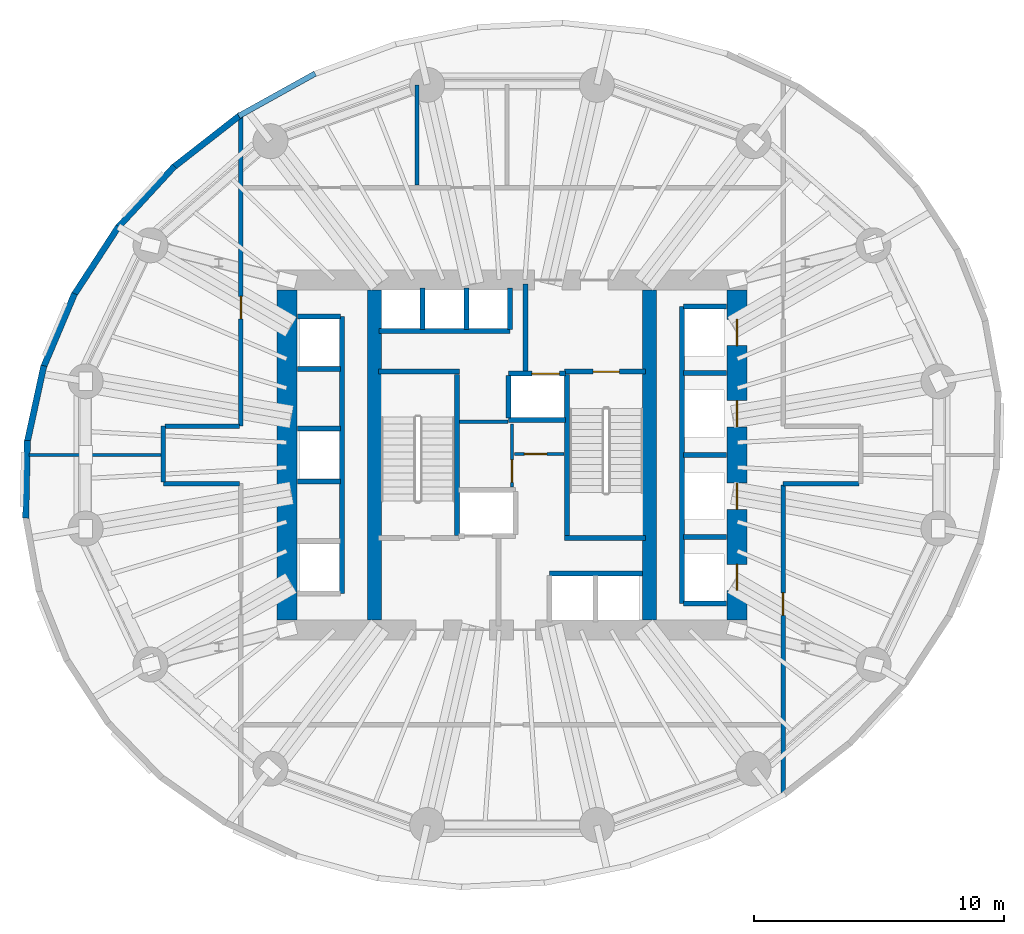
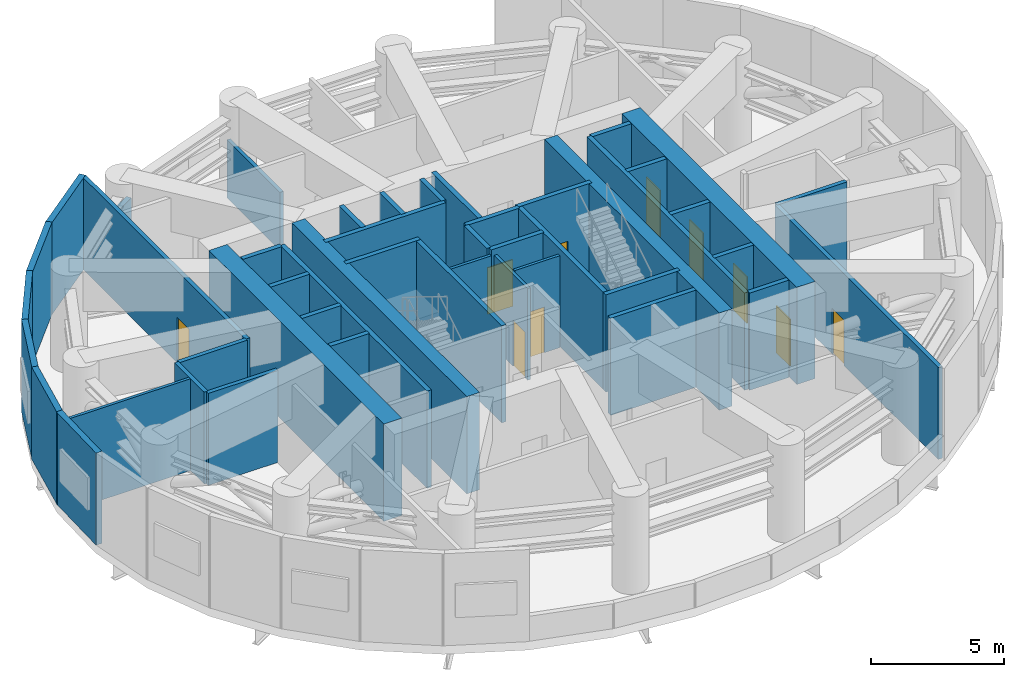
# One storey, part 5 of 8: 47 walls, 10 doors, 10 openings.
"""IFC4 building model written with IfcOpenShell, lengths in metres."""

from ifc_helpers import new_model, si_unit, direction, frame, frame_2d, origin, place, context, subcontext, project, spatial, rectangle, extrude, material, layer, layer_set, type_object, element, fill, save


model = new_model("IFC4")

# Units and contexts
model_context = context("Model", 3, precision=1e-05, world=origin(), true_north=direction((0.0, 1.0)))
body_context = subcontext(model_context, "Body", "Model", "MODEL_VIEW")
ifc_project = project(units=[si_unit("LENGTHUNIT", "METRE"), si_unit("AREAUNIT", "SQUARE_METRE"), si_unit("VOLUMEUNIT", "CUBIC_METRE"), si_unit("PLANEANGLEUNIT", "RADIAN"), si_unit("MASSUNIT", "GRAM", prefix="KILO")], contexts=[model_context])

# Site, building, storey
site_placement = place(None, origin())
site = spatial("IfcSite", under=ifc_project, at=site_placement, CompositionType="ELEMENT")
building_placement = place(site_placement, origin())
building = spatial("IfcBuilding", under=site, at=building_placement, Name="Veldorim Arch Residences", CompositionType="ELEMENT")
storey_placement = place(building_placement, frame((0.0, 0.0, 66.39990234375)))
storey = spatial("IfcBuildingStorey", under=building, at=storey_placement, Name="L19", CompositionType="ELEMENT", Elevation=66.39990234375)

# Wall, opening, door
ifc_material_1 = material(Name="Acoustic Gypsum Board", Category="gypsum")
ifc_layer_1 = layer(ifc_material_1, 0.125, Name="Acoustic Stud Room Partition Wall 125")
ifc_layer_set_1 = layer_set([ifc_layer_1], Name="Acoustic Gypsum Board")
wall_type_1 = type_object("IfcWallType", Name="Acoustic Stud Room Partition Wall 125", PredefinedType="PARTITIONING", material=ifc_layer_set_1)
wall_1_placement = place(storey_placement, frame((32.0, 22.719970703125, 0.0), z_axis=(0.0, 0.0, 1.0), x_axis=(0.0, 1.0, 0.0)))
wall_1 = element("IfcWall", 1, at=wall_1_placement, inside=storey, type_object=wall_type_1, Name="L19 interior wall WL-CA-L19-1", PredefinedType="PARTITIONING", context=body_context, shape_type="SweptSolid", body=[
    extrude(rectangle(XDim=2.52001953125, YDim=0.125, at=frame_2d((1.260009765625, 0.0))), origin(), (0.0, 0.0, 1.0), 4.235107421875),
])
opening_1_placement = place(wall_1_placement, frame((0.179931640625, 0.0, 0.0)))
opening_1 = element("IfcOpeningElement", 2, at=opening_1_placement, cuts=wall_1, Name="Opening DR-SVC", PredefinedType="OPENING", context=body_context, shape_type="SweptSolid", body=[
    extrude(rectangle(XDim=0.89990234375, YDim=2.10009765625, at=frame_2d((0.449951171875, 1.050048828125))), frame((0.0, 0.072509765625, 0.0), z_axis=(0.0, -1.0, 0.0), x_axis=(1.0, 0.0, 0.0)), (0.0, 0.0, 1.0), 0.14501953125),
])
ifc_material_2 = material(Name="Fire-Rated Steel", Category="steel")
door_type_1 = type_object("IfcDoorType", Name="Riser, Shelter & Plant Room Rated Steel Door 900x2100", OperationType="SINGLE_SWING_LEFT", PredefinedType="DOOR", material=ifc_material_2)
door_1_placement = place(opening_1_placement, origin())
door_1 = element("IfcDoor", 3, at=door_1_placement, inside=storey, type_object=door_type_1, Name="L19 interior door DR-L19-CA2", OperationType="SINGLE_SWING_RIGHT", OverallHeight=2.10009765625, OverallWidth=0.89990234375, PredefinedType="DOOR", context=body_context, shape_type="SweptSolid", body=[
    extrude(rectangle(XDim=0.89990234375, YDim=2.10009765625, at=frame_2d((0.449951171875, 1.050048828125))), frame((0.0, 0.02490234375, 0.0), z_axis=(0.0, -1.0, 0.0), x_axis=(1.0, 0.0, 0.0)), (0.0, 0.0, 1.0), 0.050048828125),
])
fill(opening_1, door_1)

wall_2_placement = place(storey_placement, frame((32.110107421875, 24.0400390625, 0.0), z_axis=(0.0, 0.0, 1.0), x_axis=(1.0, 0.0, 0.0)))
wall_2 = element("IfcWall", 4, at=wall_2_placement, inside=storey, type_object=wall_type_1, Name="L19 interior wall WL-CA-L19-3", PredefinedType="PARTITIONING", context=body_context, shape_type="SweptSolid", body=[
    extrude(rectangle(XDim=1.969970703125, YDim=0.125, at=frame_2d((0.98486328125, 0.0))), origin(), (0.0, 0.0, 1.0), 4.235107421875),
])
opening_2_placement = place(wall_2_placement, frame((0.389892578125, 0.0, 0.0)))
opening_2 = element("IfcOpeningElement", 5, at=opening_2_placement, cuts=wall_2, Name="Opening DR-INT", PredefinedType="OPENING", context=body_context, shape_type="SweptSolid", body=[
    extrude(rectangle(XDim=0.89990234375, YDim=2.10009765625, at=frame_2d((0.449951171875, 1.050048828125))), frame((0.0, 0.072509765625, 0.0), z_axis=(0.0, -1.0, 0.0), x_axis=(1.0, 0.0, 0.0)), (0.0, 0.0, 1.0), 0.14501953125),
])
ifc_material_3 = material(Name="Engineered Timber", Category="wood")
door_type_2 = type_object("IfcDoorType", Name="Apartment Internal Room Timber Door 900x2100", OperationType="SINGLE_SWING_LEFT", PredefinedType="DOOR", material=ifc_material_3)
door_2_placement = place(opening_2_placement, origin())
door_2 = element("IfcDoor", 6, at=door_2_placement, inside=storey, type_object=door_type_2, Name="L19 interior door DR-L19-CA1", OperationType="SINGLE_SWING_LEFT", OverallHeight=2.10009765625, OverallWidth=0.89990234375, PredefinedType="DOOR", context=body_context, shape_type="SweptSolid", body=[
    extrude(rectangle(XDim=0.89990234375, YDim=2.10009765625, at=frame_2d((0.449951171875, 1.050048828125))), frame((0.0, 0.02490234375, 0.0), z_axis=(0.0, -1.0, 0.0), x_axis=(1.0, 0.0, 0.0)), (0.0, 0.0, 1.0), 0.050048828125),
])
fill(opening_2, door_2)

# Walls
wall_3_placement = place(storey_placement, frame((29.889892578125, 25.330078125, 0.0), z_axis=(0.0, 0.0, 1.0), x_axis=(1.0, 0.0, 0.0)))
element("IfcWall", 7, at=wall_3_placement, inside=storey, type_object=wall_type_1, Name="L19 interior wall WL-CA-L19-N", PredefinedType="PARTITIONING", context=body_context, shape_type="SweptSolid", body=[
    extrude(rectangle(XDim=1.940185546875, YDim=0.125, at=frame_2d((0.97021484375, 0.0))), origin(), (0.0, 0.0, 1.0), 4.235107421875),
])
wall_4_placement = place(storey_placement, frame((12.66259765625, 24.0, 0.0), z_axis=(0.0, 0.0, 1.0), x_axis=(1.0, 0.0, 0.0)))
element("IfcWall", 8, at=wall_4_placement, inside=storey, type_object=wall_type_1, Name="L19 interior wall WL-PLT-L19-015", PredefinedType="PARTITIONING", context=body_context, shape_type="SweptSolid", body=[
    extrude(rectangle(XDim=5.287353515625, YDim=0.125, at=frame_2d((2.6435546875, 0.0))), origin(), (0.0, 0.0, 1.0), 4.235107421875),
])
ifc_material_4 = material(Name="Lightweight Masonry Block & Gypsum", Category="masonry")
ifc_layer_2 = layer(ifc_material_4, 0.179931640625, Name="Compartment & Corridor Fire-Rated Party Wall 180")
ifc_layer_set_2 = layer_set([ifc_layer_2], Name="Lightweight Masonry Block & Gypsum")
wall_type_2 = type_object("IfcWallType", Name="Compartment & Corridor Fire-Rated Party Wall 180", PredefinedType="PARTITIONING", material=ifc_layer_set_2)
wall_5_placement = place(storey_placement, frame((21.090087890625, 22.85009765625, 0.0), z_axis=(0.0, 0.0, 1.0), x_axis=(-1.0, 0.0, 0.0)))
element("IfcWall", 9, at=wall_5_placement, inside=storey, type_object=wall_type_2, Name="L19 interior wall WL-PLT-L19-004", PredefinedType="PARTITIONING", context=body_context, shape_type="SweptSolid", body=[
    extrude(rectangle(XDim=3.0400390625, YDim=0.179931640625, at=frame_2d((1.52001953125, 0.0))), origin(), (0.0, 0.0, 1.0), 4.235107421875),
])
wall_6_placement = place(storey_placement, frame((18.050048828125, 22.909912109375, 0.0), z_axis=(0.0, 0.0, 1.0), x_axis=(0.0, 1.0, 0.0)))
element("IfcWall", 10, at=wall_6_placement, inside=storey, type_object=wall_type_2, Name="L19 interior wall WL-PLT-L19-005", PredefinedType="PARTITIONING", context=body_context, shape_type="SweptSolid", body=[
    extrude(rectangle(XDim=2.239990234375, YDim=0.179931640625, at=frame_2d((1.1201171875, 0.0))), origin(), (0.0, 0.0, 1.0), 4.235107421875),
])

# Wall, opening, door
wall_7_placement = place(storey_placement, frame((21.14990234375, 25.14990234375, 0.0), z_axis=(0.0, 0.0, 1.0), x_axis=(0.0, 1.0, 0.0)))
wall_7 = element("IfcWall", 11, at=wall_7_placement, inside=storey, type_object=wall_type_2, Name="L19 interior wall WL-PLT-L19-006", PredefinedType="PARTITIONING", context=body_context, shape_type="SweptSolid", body=[
    extrude(rectangle(XDim=12.380126953125, YDim=0.179931640625, at=frame_2d((6.18994140625, 0.0))), origin(), (0.0, 0.0, 1.0), 4.235107421875),
])
opening_3_placement = place(wall_7_placement, frame((4.294921875, 0.0, 0.0)))
opening_3 = element("IfcOpeningElement", 12, at=opening_3_placement, cuts=wall_7, Name="Opening DR-SVC", PredefinedType="OPENING", context=body_context, shape_type="SweptSolid", body=[
    extrude(rectangle(XDim=0.89990234375, YDim=2.10009765625, at=frame_2d((0.449951171875, 1.050048828125))), frame((0.0, 0.099853515625, 0.0), z_axis=(0.0, -1.0, 0.0), x_axis=(1.0, 0.0, 0.0)), (0.0, 0.0, 1.0), 0.199951171875),
])
door_3_placement = place(opening_3_placement, origin())
door_3 = element("IfcDoor", 13, at=door_3_placement, inside=storey, type_object=door_type_1, Name="L19 interior door DR-PLT-L19-006", OperationType="SINGLE_SWING_RIGHT", OverallHeight=2.10009765625, OverallWidth=0.89990234375, PredefinedType="DOOR", context=body_context, shape_type="SweptSolid", body=[
    extrude(rectangle(XDim=0.89990234375, YDim=2.10009765625, at=frame_2d((0.449951171875, 1.050048828125))), frame((0.0, 0.02490234375, 0.0), z_axis=(0.0, -1.0, 0.0), x_axis=(1.0, 0.0, 0.0)), (0.0, 0.0, 1.0), 0.050048828125),
])
fill(opening_3, door_3)

# Walls
wall_8_placement = place(storey_placement, frame((18.110107421875, 25.14990234375, 0.0), z_axis=(0.0, 0.0, 1.0), x_axis=(1.0, 0.0, 0.0)))
element("IfcWall", 14, at=wall_8_placement, inside=storey, type_object=wall_type_2, Name="L19 interior wall WL-PLT-L19-007", PredefinedType="PARTITIONING", context=body_context, shape_type="SweptSolid", body=[
    extrude(rectangle(XDim=2.97998046875, YDim=0.179931640625, at=frame_2d((1.489990234375, 0.0))), origin(), (0.0, 0.0, 1.0), 4.235107421875),
])
wall_9_placement = place(storey_placement, frame((45.889892578125, 22.85009765625, 0.0), z_axis=(0.0, 0.0, 1.0), x_axis=(-1.0, 0.0, 0.0)))
element("IfcWall", 15, at=wall_9_placement, inside=storey, type_object=wall_type_2, Name="L19 interior wall WL-PLT-L19-009", PredefinedType="PARTITIONING", context=body_context, shape_type="SweptSolid", body=[
    extrude(rectangle(XDim=3.039794921875, YDim=0.179931640625, at=frame_2d((1.52001953125, 0.0))), origin(), (0.0, 0.0, 1.0), 4.235107421875),
])

# Wall, opening, door
wall_10_placement = place(storey_placement, frame((42.85009765625, 22.7900390625, 0.0), z_axis=(0.0, 0.0, 1.0), x_axis=(0.0, -1.0, 0.0)))
wall_10 = element("IfcWall", 16, at=wall_10_placement, inside=storey, type_object=wall_type_2, Name="L19 interior wall WL-PLT-L19-010", PredefinedType="PARTITIONING", context=body_context, shape_type="SweptSolid", body=[
    extrude(rectangle(XDim=12.320068359375, YDim=0.179931640625, at=frame_2d((6.16015625, 0.0))), origin(), (0.0, 0.0, 1.0), 4.235107421875),
])
opening_4_placement = place(wall_10_placement, frame((4.31494140625, 0.0, 0.0)))
opening_4 = element("IfcOpeningElement", 17, at=opening_4_placement, cuts=wall_10, Name="Opening DR-SVC", PredefinedType="OPENING", context=body_context, shape_type="SweptSolid", body=[
    extrude(rectangle(XDim=0.89990234375, YDim=2.10009765625, at=frame_2d((0.449951171875, 1.050048828125))), frame((0.0, 0.099853515625, 0.0), z_axis=(0.0, -1.0, 0.0), x_axis=(1.0, 0.0, 0.0)), (0.0, 0.0, 1.0), 0.199951171875),
])
door_4_placement = place(opening_4_placement, origin())
door_4 = element("IfcDoor", 18, at=door_4_placement, inside=storey, type_object=door_type_1, Name="L19 interior door DR-PLT-L19-007", OperationType="SINGLE_SWING_LEFT", OverallHeight=2.10009765625, OverallWidth=0.89990234375, PredefinedType="DOOR", context=body_context, shape_type="SweptSolid", body=[
    extrude(rectangle(XDim=0.89990234375, YDim=2.10009765625, at=frame_2d((0.449951171875, 1.050048828125))), frame((0.0, 0.02490234375, 0.0), z_axis=(0.0, -1.0, 0.0), x_axis=(1.0, 0.0, 0.0)), (0.0, 0.0, 1.0), 0.050048828125),
])
fill(opening_4, door_4)

# Walls
ifc_material_5 = material(Name="Concrete C50/60", Category="concrete")
ifc_layer_3 = layer(ifc_material_5, 0.199951171875, Name="Core Stair & Lift Shaft Enclosure Wall 200")
ifc_layer_set_3 = layer_set([ifc_layer_3], Name="Concrete C50/60")
wall_type_3 = type_object("IfcWallType", Name="Core Stair & Lift Shaft Enclosure Wall 200", PredefinedType="SHEAR", material=ifc_layer_set_3)
wall_11_placement = place(storey_placement, frame((29.7900390625, 20.780029296875, 0.0), z_axis=(0.0, 0.0, 1.0), x_axis=(0.0, 1.0, 0.0)))
element("IfcWall", 19, at=wall_11_placement, inside=storey, type_object=wall_type_3, Name="L19 shaft wall WL-SHF-L19-ST1-E", PredefinedType="SHEAR", context=body_context, shape_type="SweptSolid", body=[
    extrude(rectangle(XDim=6.43994140625, YDim=0.199951171875, at=frame_2d((3.219970703125, 0.0))), origin(), (0.0, 0.0, 1.0), 4.47998046875),
])
wall_12_placement = place(storey_placement, frame((26.64990234375, 27.330078125, 0.0), z_axis=(0.0, 0.0, 1.0), x_axis=(1.0, 0.0, 0.0)))
element("IfcWall", 20, at=wall_12_placement, inside=storey, type_object=wall_type_3, Name="L19 shaft wall WL-SHF-L19-ST1-N", PredefinedType="SHEAR", context=body_context, shape_type="SweptSolid", body=[
    extrude(rectangle(XDim=3.239990234375, YDim=0.199951171875, at=frame_2d((1.6201171875, 0.0))), origin(), (0.0, 0.0, 1.0), 4.47998046875),
])
wall_13_placement = place(storey_placement, frame((34.2099609375, 20.780029296875, 0.0), z_axis=(0.0, 0.0, 1.0), x_axis=(0.0, 1.0, 0.0)))
element("IfcWall", 21, at=wall_13_placement, inside=storey, type_object=wall_type_3, Name="L19 shaft wall WL-SHF-L19-ST2-W", PredefinedType="SHEAR", context=body_context, shape_type="SweptSolid", body=[
    extrude(rectangle(XDim=6.43994140625, YDim=0.199951171875, at=frame_2d((3.219970703125, 0.0))), origin(), (0.0, 0.0, 1.0), 4.47998046875),
])
wall_14_placement = place(storey_placement, frame((34.110107421875, 20.669921875, 0.0), z_axis=(0.0, 0.0, 1.0), x_axis=(1.0, 0.0, 0.0)))
element("IfcWall", 22, at=wall_14_placement, inside=storey, type_object=wall_type_3, Name="L19 shaft wall WL-SHF-L19-ST2-S", PredefinedType="SHEAR", context=body_context, shape_type="SweptSolid", body=[
    extrude(rectangle(XDim=3.239990234375, YDim=0.199951171875, at=frame_2d((1.6201171875, 0.0))), origin(), (0.0, 0.0, 1.0), 4.47998046875),
])

# Wall, opening, door
wall_15_placement = place(storey_placement, frame((34.110107421875, 27.330078125, 0.0), z_axis=(0.0, 0.0, 1.0), x_axis=(1.0, 0.0, 0.0)))
wall_15 = element("IfcWall", 23, at=wall_15_placement, inside=storey, type_object=wall_type_3, Name="L19 shaft wall WL-SHF-L19-ST2-N", PredefinedType="SHEAR", context=body_context, shape_type="SweptSolid", body=[
    extrude(rectangle(XDim=3.239990234375, YDim=0.199951171875, at=frame_2d((1.6201171875, 0.0))), origin(), (0.0, 0.0, 1.0), 4.47998046875),
])
opening_5_placement = place(wall_15_placement, frame((1.135009765625, 0.0, 0.0)))
opening_5 = element("IfcOpeningElement", 24, at=opening_5_placement, cuts=wall_15, Name="Opening DR-ST", PredefinedType="OPENING", context=body_context, shape_type="SweptSolid", body=[
    extrude(rectangle(XDim=1.050048828125, YDim=2.14990234375, at=frame_2d((0.52490234375, 1.074951171875))), frame((0.0, 0.10986328125, 0.0), z_axis=(0.0, -1.0, 0.0), x_axis=(1.0, 0.0, 0.0)), (0.0, 0.0, 1.0), 0.219970703125),
])
ifc_material_6 = material(Name="Fire-Rated Steel", Category="steel")
door_type_3 = type_object("IfcDoorType", Name="Exit Staircase Self-Closing Fire Door 1050x2150", OperationType="SINGLE_SWING_LEFT", PredefinedType="DOOR", material=ifc_material_6)
door_5_placement = place(opening_5_placement, origin())
door_5 = element("IfcDoor", 25, at=door_5_placement, inside=storey, type_object=door_type_3, Name="L19 interior door DR-L19-ST2", OperationType="SINGLE_SWING_RIGHT", OverallHeight=2.14990234375, OverallWidth=1.050048828125, PredefinedType="DOOR", context=body_context, shape_type="SweptSolid", body=[
    extrude(rectangle(XDim=1.050048828125, YDim=2.14990234375, at=frame_2d((0.52490234375, 1.074951171875))), frame((0.0, 0.02490234375, 0.0), z_axis=(0.0, -1.0, 0.0), x_axis=(1.0, 0.0, 0.0)), (0.0, 0.0, 1.0), 0.050048828125),
])
fill(opening_5, door_5)

# Wall
wall_16_placement = place(storey_placement, frame((32.550048828125, 27.35009765625, 0.0), z_axis=(0.0, 0.0, 1.0), x_axis=(0.0, 1.0, 0.0)))
element("IfcWall", 26, at=wall_16_placement, inside=storey, type_object=wall_type_3, Name="L19 shaft wall WL-FFL2-L19-W", PredefinedType="SHEAR", context=body_context, shape_type="SweptSolid", body=[
    extrude(rectangle(XDim=3.5, YDim=0.199951171875, at=frame_2d((1.75, 0.0))), origin(), (0.0, 0.0, 1.0), 4.47998046875),
])

# Wall, opening, door
wall_17_placement = place(storey_placement, frame((31.85009765625, 27.25, 0.0), z_axis=(0.0, 0.0, 1.0), x_axis=(1.0, 0.0, 0.0)))
wall_17 = element("IfcWall", 27, at=wall_17_placement, inside=storey, type_object=wall_type_3, Name="L19 shaft wall WL-FL02-L19-N", PredefinedType="SHEAR", context=body_context, shape_type="SweptSolid", body=[
    extrude(rectangle(XDim=2.2998046875, YDim=0.199951171875, at=frame_2d((1.14990234375, 0.0))), origin(), (0.0, 0.0, 1.0), 4.47998046875),
])
opening_6_placement = place(wall_17_placement, frame((0.949951171875, 0.0, 0.0)))
opening_6 = element("IfcOpeningElement", 28, at=opening_6_placement, cuts=wall_17, Name="Opening LD-FF", PredefinedType="OPENING", context=body_context, shape_type="SweptSolid", body=[
    extrude(rectangle(XDim=1.10009765625, YDim=2.14990234375, at=frame_2d((0.550048828125, 1.074951171875))), frame((0.0, 0.10986328125, 0.0), z_axis=(0.0, -1.0, 0.0), x_axis=(1.0, 0.0, 0.0)), (0.0, 0.0, 1.0), 0.219970703125),
])
ifc_material_7 = material(Name="Stainless Steel", Category="steel")
door_type_4 = type_object("IfcDoorType", Name="Firefighting Lift Bi-Parting Sliding Landing Door 1100x2150", OperationType="DOUBLE_DOOR_SLIDING", PredefinedType="DOOR", material=ifc_material_7)
door_6_placement = place(opening_6_placement, origin())
door_6 = element("IfcDoor", 29, at=door_6_placement, inside=storey, type_object=door_type_4, Name="L19 lift landing door LD-L19-FL02", OperationType="DOUBLE_DOOR_SLIDING", OverallHeight=2.14990234375, OverallWidth=1.10009765625, PredefinedType="DOOR", context=body_context, shape_type="SweptSolid", body=[
    extrude(rectangle(XDim=1.10009765625, YDim=2.14990234375, at=frame_2d((0.550048828125, 1.074951171875))), frame((0.0, 0.02490234375, 0.0), z_axis=(0.0, -1.0, 0.0), x_axis=(1.0, 0.0, 0.0)), (0.0, 0.0, 1.0), 0.050048828125),
])
fill(opening_6, door_6)

# Walls
wall_18_placement = place(storey_placement, frame((31.85009765625, 25.39990234375, 0.0), z_axis=(0.0, 0.0, 1.0), x_axis=(1.0, 0.0, 0.0)))
element("IfcWall", 30, at=wall_18_placement, inside=storey, type_object=wall_type_3, Name="L19 shaft wall WL-FL02-L19-S", PredefinedType="SHEAR", context=body_context, shape_type="SweptSolid", body=[
    extrude(rectangle(XDim=2.2998046875, YDim=0.199951171875, at=frame_2d((1.14990234375, 0.0))), origin(), (0.0, 0.0, 1.0), 4.47998046875),
])
wall_19_placement = place(storey_placement, frame((31.85009765625, 25.469970703125, 0.0), z_axis=(0.0, 0.0, 1.0), x_axis=(0.0, 1.0, 0.0)))
element("IfcWall", 31, at=wall_19_placement, inside=storey, type_object=wall_type_3, Name="L19 shaft wall WL-FL02-L19-W", PredefinedType="SHEAR", context=body_context, shape_type="SweptSolid", body=[
    extrude(rectangle(XDim=1.7099609375, YDim=0.199951171875, at=frame_2d((0.85498046875, 0.0))), origin(), (0.0, 0.0, 1.0), 4.47998046875),
])
wall_20_placement = place(storey_placement, frame((38.800048828125, 18.06005859375, 0.0), z_axis=(0.0, 0.0, 1.0), x_axis=(0.0, 1.0, 0.0)))
element("IfcWall", 32, at=wall_20_placement, inside=storey, type_object=wall_type_3, Name="L19 shaft wall WL-B1-L19-W", PredefinedType="SHEAR", context=body_context, shape_type="SweptSolid", body=[
    extrude(rectangle(XDim=11.8798828125, YDim=0.199951171875, at=frame_2d((5.93994140625, 0.0))), origin(), (0.0, 0.0, 1.0), 4.47998046875),
])
for number, where, z_axis, x_axis, name in (
    (33, (38.8701171875, 18.06005859375, 0.0), (0.0, 0.0, 1.0), (1.0, 0.0, 0.0), "L19 shaft wall WL-B1-L19-S"),
    (34, (38.8701171875, 29.93994140625, 0.0), (0.0, 0.0, 1.0), (1.0, 0.0, 0.0), "L19 shaft wall WL-B1-L19-N"),
    (35, (38.8701171875, 20.72509765625, 0.0), (0.0, 0.0, 1.0), (1.0, 0.0, 0.0), "L19 shaft wall WL-B1-L19-D1"),
    (36, (38.8701171875, 24.0, 0.0), (0.0, 0.0, 1.0), (1.0, 0.0, 0.0), "L19 shaft wall WL-B1-L19-D2"),
    (37, (38.8701171875, 27.27490234375, 0.0), (0.0, 0.0, 1.0), (1.0, 0.0, 0.0), "L19 shaft wall WL-B1-L19-D3"),
):
    element("IfcWall", number, at=place(storey_placement, frame(where, z_axis=z_axis, x_axis=x_axis)), inside=storey, type_object=wall_type_3, Name=name, PredefinedType="SHEAR", context=body_context, shape_type="SweptSolid", body=[
        extrude(rectangle(XDim=1.7099609375, YDim=0.199951171875, at=frame_2d((0.85498046875, 0.0))), origin(), (0.0, 0.0, 1.0), 4.47998046875),
    ])
wall_21_placement = place(storey_placement, frame((25.199951171875, 18.4599609375, 0.0), z_axis=(0.0, 0.0, 1.0), x_axis=(0.0, 1.0, 0.0)))
element("IfcWall", 38, at=wall_21_placement, inside=storey, type_object=wall_type_3, Name="L19 shaft wall WL-B2-L19-E", PredefinedType="SHEAR", context=body_context, shape_type="SweptSolid", body=[
    extrude(rectangle(XDim=11.080078125, YDim=0.199951171875, at=frame_2d((5.5400390625, 0.0))), origin(), (0.0, 0.0, 1.0), 4.47998046875),
])
for number, where, z_axis, x_axis, name in (
    (39, (23.419921875, 29.5400390625, 0.0), (0.0, 0.0, 1.0), (1.0, 0.0, 0.0), "L19 shaft wall WL-B2-L19-N"),
    (40, (23.419921875, 22.93994140625, 0.0), (0.0, 0.0, 1.0), (1.0, 0.0, 0.0), "L19 shaft wall WL-B2-L19-D1B"),
    (41, (23.419921875, 25.06005859375, 0.0), (0.0, 0.0, 1.0), (1.0, 0.0, 0.0), "L19 shaft wall WL-B2-L19-D2A"),
    (42, (23.419921875, 27.43994140625, 0.0), (0.0, 0.0, 1.0), (1.0, 0.0, 0.0), "L19 shaft wall WL-B2-L19-D2B"),
):
    element("IfcWall", number, at=place(storey_placement, frame(where, z_axis=z_axis, x_axis=x_axis)), inside=storey, type_object=wall_type_3, Name=name, PredefinedType="SHEAR", context=body_context, shape_type="SweptSolid", body=[
        extrude(rectangle(XDim=1.7099609375, YDim=0.199951171875, at=frame_2d((0.85498046875, 0.0))), origin(), (0.0, 0.0, 1.0), 4.47998046875),
    ])
wall_22_placement = place(storey_placement, frame((26.679931640625, 28.949951171875, 0.0), z_axis=(0.0, 0.0, 1.0), x_axis=(1.0, 0.0, 0.0)))
element("IfcWall", 43, at=wall_22_placement, inside=storey, type_object=wall_type_3, Name="L19 shaft wall WL-B3-L19-S", PredefinedType="SHEAR", context=body_context, shape_type="SweptSolid", body=[
    extrude(rectangle(XDim=5.239990234375, YDim=0.199951171875, at=frame_2d((2.6201171875, 0.0))), origin(), (0.0, 0.0, 1.0), 4.47998046875),
])
for number, where, z_axis, x_axis, name in (
    (44, (31.919921875, 29.02001953125, 0.0), (0.0, 0.0, 1.0), (0.0, 1.0, 0.0), "L19 shaft wall WL-B3-L19-E"),
    (45, (28.425048828125, 29.02001953125, 0.0), (0.0, 0.0, 1.0), (0.0, 1.0, 0.0), "L19 shaft wall WL-B3-L19-D1"),
    (46, (30.175048828125, 29.02001953125, 0.0), (0.0, 0.0, 1.0), (0.0, 1.0, 0.0), "L19 shaft wall WL-B3-L19-D2"),
):
    element("IfcWall", number, at=place(storey_placement, frame(where, z_axis=z_axis, x_axis=x_axis)), inside=storey, type_object=wall_type_3, Name=name, PredefinedType="SHEAR", context=body_context, shape_type="SweptSolid", body=[
        extrude(rectangle(XDim=1.659912109375, YDim=0.199951171875, at=frame_2d((0.830078125, 0.0))), origin(), (0.0, 0.0, 1.0), 4.47998046875),
    ])
wall_23_placement = place(storey_placement, frame((33.5, 19.25, 0.0), z_axis=(0.0, 0.0, 1.0), x_axis=(1.0, 0.0, 0.0)))
element("IfcWall", 47, at=wall_23_placement, inside=storey, type_object=wall_type_3, Name="L19 shaft wall WL-OL-L19-N", PredefinedType="SHEAR", context=body_context, shape_type="SweptSolid", body=[
    extrude(rectangle(XDim=3.719970703125, YDim=0.199951171875, at=frame_2d((1.85986328125, 0.0))), origin(), (0.0, 0.0, 1.0), 4.47998046875),
])
ifc_material_8 = material(Name="Concrete C60/75", Category="concrete")
ifc_layer_4 = layer(ifc_material_8, 0.56005859375, Name="Internal Core Shear Web Wall 560")
ifc_layer_set_4 = layer_set([ifc_layer_4], Name="Concrete C60/75")
wall_type_4 = type_object("IfcWallType", Name="Internal Core Shear Web Wall 560", PredefinedType="SHEAR", material=ifc_layer_set_4)
for number, where, z_axis, x_axis, name in (
    (48, (26.5, 17.39990234375, 0.0), (0.0, 0.0, 1.0), (0.0, 1.0, 0.0), "L19 core west internal shear web"),
    (49, (37.5, 17.39990234375, 0.0), (0.0, 0.0, 1.0), (0.0, 1.0, 0.0), "L19 core east internal shear web"),
):
    element("IfcWall", number, at=place(storey_placement, frame(where, z_axis=z_axis, x_axis=x_axis)), inside=storey, type_object=wall_type_4, Name=name, PredefinedType="SHEAR", context=body_context, shape_type="SweptSolid", body=[
        extrude(rectangle(XDim=13.2001953125, YDim=0.56005859375, at=frame_2d((6.60009765625, 0.0))), origin(), (0.0, 0.0, 1.0), 4.47998046875),
    ])
ifc_material_9 = material(Name="Concrete C60/75", Category="concrete")
ifc_layer_5 = layer(ifc_material_9, 0.800048828125, Name="Lower Central Core Shear Wall 800")
ifc_layer_set_5 = layer_set([ifc_layer_5], Name="Concrete C60/75")
wall_type_5 = type_object("IfcWallType", Name="Lower Central Core Shear Wall 800", PredefinedType="SHEAR", material=ifc_layer_set_5)
wall_24_placement = place(storey_placement, frame((23.0, 17.39990234375, 0.0), z_axis=(0.0, 0.0, 1.0), x_axis=(0.0, 1.0, 0.0)))
element("IfcWall", 50, at=wall_24_placement, inside=storey, type_object=wall_type_5, Name="L19 central core west shear wall", PredefinedType="SHEAR", context=body_context, shape_type="SweptSolid", body=[
    extrude(rectangle(XDim=13.2001953125, YDim=0.800048828125, at=frame_2d((6.60009765625, 0.0))), origin(), (0.0, 0.0, 1.0), 4.47998046875),
])

# Wall, openings, doors
wall_25_placement = place(storey_placement, frame((41.0, 17.39990234375, 0.0), z_axis=(0.0, 0.0, 1.0), x_axis=(0.0, 1.0, 0.0)))
wall_25 = element("IfcWall", 51, at=wall_25_placement, inside=storey, type_object=wall_type_5, Name="L19 central core east shear wall", PredefinedType="SHEAR", context=body_context, shape_type="SweptSolid", body=[
    extrude(rectangle(XDim=13.2001953125, YDim=0.800048828125, at=frame_2d((6.60009765625, 0.0))), origin(), (0.0, 0.0, 1.0), 4.47998046875),
])
opening_7_placement = place(wall_25_placement, frame((1.175048828125, 0.0, 0.0)))
opening_7 = element("IfcOpeningElement", 52, at=opening_7_placement, cuts=wall_25, Name="Opening LD-PS", PredefinedType="OPENING", context=body_context, shape_type="SweptSolid", body=[
    extrude(rectangle(XDim=1.050048828125, YDim=2.14990234375, at=frame_2d((0.52490234375, 1.074951171875))), frame((0.0, 0.409912109375, 0.0), z_axis=(0.0, -1.0, 0.0), x_axis=(1.0, 0.0, 0.0)), (0.0, 0.0, 1.0), 0.820068359375),
])
opening_8_placement = place(wall_25_placement, frame((4.425048828125, 0.0, 0.0)))
opening_8 = element("IfcOpeningElement", 53, at=opening_8_placement, cuts=wall_25, Name="Opening LD-PS", PredefinedType="OPENING", context=body_context, shape_type="SweptSolid", body=[
    extrude(rectangle(XDim=1.050048828125, YDim=2.14990234375, at=frame_2d((0.52490234375, 1.074951171875))), frame((0.0, 0.409912109375, 0.0), z_axis=(0.0, -1.0, 0.0), x_axis=(1.0, 0.0, 0.0)), (0.0, 0.0, 1.0), 0.820068359375),
])
opening_9_placement = place(wall_25_placement, frame((7.72509765625, 0.0, 0.0)))
opening_9 = element("IfcOpeningElement", 54, at=opening_9_placement, cuts=wall_25, Name="Opening LD-PS", PredefinedType="OPENING", context=body_context, shape_type="SweptSolid", body=[
    extrude(rectangle(XDim=1.050048828125, YDim=2.14990234375, at=frame_2d((0.52490234375, 1.074951171875))), frame((0.0, 0.409912109375, 0.0), z_axis=(0.0, -1.0, 0.0), x_axis=(1.0, 0.0, 0.0)), (0.0, 0.0, 1.0), 0.820068359375),
])
opening_10_placement = place(wall_25_placement, frame((10.97509765625, 0.0, 0.0)))
opening_10 = element("IfcOpeningElement", 55, at=opening_10_placement, cuts=wall_25, Name="Opening LD-PS", PredefinedType="OPENING", context=body_context, shape_type="SweptSolid", body=[
    extrude(rectangle(XDim=1.050048828125, YDim=2.14990234375, at=frame_2d((0.52490234375, 1.074951171875))), frame((0.0, 0.409912109375, 0.0), z_axis=(0.0, -1.0, 0.0), x_axis=(1.0, 0.0, 0.0)), (0.0, 0.0, 1.0), 0.820068359375),
])
ifc_material_10 = material(Name="Stainless Steel", Category="steel")
door_type_5 = type_object("IfcDoorType", Name="Passenger Lift Bi-Parting Sliding Landing Door 1050x2150", OperationType="DOUBLE_DOOR_SLIDING", PredefinedType="DOOR", material=ifc_material_10)
door_7_placement = place(opening_7_placement, origin())
door_7 = element("IfcDoor", 56, at=door_7_placement, inside=storey, type_object=door_type_5, Name="L19 lift landing door LD-L19-PL-01", OperationType="DOUBLE_DOOR_SLIDING", OverallHeight=2.14990234375, OverallWidth=1.050048828125, PredefinedType="DOOR", context=body_context, shape_type="SweptSolid", body=[
    extrude(rectangle(XDim=1.050048828125, YDim=2.14990234375, at=frame_2d((0.52490234375, 1.074951171875))), frame((0.0, 0.02490234375, 0.0), z_axis=(0.0, -1.0, 0.0), x_axis=(1.0, 0.0, 0.0)), (0.0, 0.0, 1.0), 0.050048828125),
])
fill(opening_7, door_7)
door_8_placement = place(opening_8_placement, origin())
door_8 = element("IfcDoor", 57, at=door_8_placement, inside=storey, type_object=door_type_5, Name="L19 lift landing door LD-L19-PL-02", OperationType="DOUBLE_DOOR_SLIDING", OverallHeight=2.14990234375, OverallWidth=1.050048828125, PredefinedType="DOOR", context=body_context, shape_type="SweptSolid", body=[
    extrude(rectangle(XDim=1.050048828125, YDim=2.14990234375, at=frame_2d((0.52490234375, 1.074951171875))), frame((0.0, 0.02490234375, 0.0), z_axis=(0.0, -1.0, 0.0), x_axis=(1.0, 0.0, 0.0)), (0.0, 0.0, 1.0), 0.050048828125),
])
fill(opening_8, door_8)
door_9_placement = place(opening_9_placement, origin())
door_9 = element("IfcDoor", 58, at=door_9_placement, inside=storey, type_object=door_type_5, Name="L19 lift landing door LD-L19-PL-03", OperationType="DOUBLE_DOOR_SLIDING", OverallHeight=2.14990234375, OverallWidth=1.050048828125, PredefinedType="DOOR", context=body_context, shape_type="SweptSolid", body=[
    extrude(rectangle(XDim=1.050048828125, YDim=2.14990234375, at=frame_2d((0.52490234375, 1.074951171875))), frame((0.0, 0.02490234375, 0.0), z_axis=(0.0, -1.0, 0.0), x_axis=(1.0, 0.0, 0.0)), (0.0, 0.0, 1.0), 0.050048828125),
])
fill(opening_9, door_9)
door_10_placement = place(opening_10_placement, origin())
door_10 = element("IfcDoor", 59, at=door_10_placement, inside=storey, type_object=door_type_5, Name="L19 lift landing door LD-L19-PL-04", OperationType="DOUBLE_DOOR_SLIDING", OverallHeight=2.14990234375, OverallWidth=1.050048828125, PredefinedType="DOOR", context=body_context, shape_type="SweptSolid", body=[
    extrude(rectangle(XDim=1.050048828125, YDim=2.14990234375, at=frame_2d((0.52490234375, 1.074951171875))), frame((0.0, 0.02490234375, 0.0), z_axis=(0.0, -1.0, 0.0), x_axis=(1.0, 0.0, 0.0)), (0.0, 0.0, 1.0), 0.050048828125),
])
fill(opening_10, door_10)

# Walls
ifc_material_11 = material(Name="Precast concrete C40/50", Category="concrete")
ifc_layer_6 = layer(ifc_material_11, 0.219970703125, Name="Terrace & Refuge Perimeter Parapet Wall 220")
ifc_layer_set_6 = layer_set([ifc_layer_6], Name="Precast concrete C40/50")
wall_type_6 = type_object("IfcWallType", Name="Terrace & Refuge Perimeter Parapet Wall 220", PredefinedType="PARAPET", material=ifc_layer_set_6)
wall_26_placement = place(storey_placement, frame((21.063232421875, 37.56201171875, 0.0), z_axis=(0.0, 0.0, 1.0), x_axis=(0.874075073274, 0.485790866815, 0.0)))
element("IfcWall", 60, at=wall_26_placement, inside=storey, type_object=wall_type_6, Name="L19 fire refuge safety parapet 10", PredefinedType="PARAPET", context=body_context, shape_type="SweptSolid", body=[
    extrude(rectangle(XDim=3.5029296875, YDim=0.219970703125, at=frame_2d((1.75146484375, 0.0))), origin(), (0.0, 0.0, 1.0), 1.150146484375),
])
ifc_material_12 = material(Name="Precast concrete C40/50", Category="concrete")
ifc_layer_7 = layer(ifc_material_12, 0.25, Name="Tower Terracotta Spandrel & Pier Wall 250")
ifc_layer_set_7 = layer_set([ifc_layer_7], Name="Precast concrete C40/50")
wall_type_7 = type_object("IfcWallType", Name="Tower Terracotta Spandrel & Pier Wall 250", PredefinedType="SOLIDWALL", material=ifc_layer_set_7)
wall_27_placement = place(storey_placement, frame((18.422119140625, 35.488037109375, 0.0), z_axis=(0.0, 0.0, 1.0), x_axis=(0.787892573834, 0.615812708619, 0.0)))
element("IfcWall", 61, at=wall_27_placement, inside=storey, type_object=wall_type_7, Name="L19 outrigger plant enclosure wall 11", PredefinedType="SOLIDWALL", context=body_context, shape_type="SweptSolid", body=[
    extrude(rectangle(XDim=3.45458984375, YDim=0.25, at=frame_2d((1.727294921875, 0.0))), origin(), (0.0, 0.0, 1.0), 4.239990234375),
])
wall_28_placement = place(storey_placement, frame((16.194091796875, 33.064453125, 0.0), z_axis=(0.0, 0.0, 1.0), x_axis=(0.678528400374, 0.734574169085, 0.0)))
element("IfcWall", 62, at=wall_28_placement, inside=storey, type_object=wall_type_7, Name="L19 outrigger plant enclosure wall 12", PredefinedType="SOLIDWALL", context=body_context, shape_type="SweptSolid", body=[
    extrude(rectangle(XDim=3.38916015625, YDim=0.25, at=frame_2d((1.694580078125, 0.0))), origin(), (0.0, 0.0, 1.0), 4.239990234375),
])
wall_29_placement = place(storey_placement, frame((14.447509765625, 30.36572265625, 0.0), z_axis=(0.0, 0.0, 1.0), x_axis=(0.545464926113, 0.838133649474, 0.0)))
element("IfcWall", 63, at=wall_29_placement, inside=storey, type_object=wall_type_7, Name="L19 outrigger plant enclosure wall 13", PredefinedType="SOLIDWALL", context=body_context, shape_type="SweptSolid", body=[
    extrude(rectangle(XDim=3.3125, YDim=0.25, at=frame_2d((1.65625, 0.0))), origin(), (0.0, 0.0, 1.0), 4.239990234375),
])
wall_30_placement = place(storey_placement, frame((13.234619140625, 27.473876953125, 0.0), z_axis=(0.0, 0.0, 1.0), x_axis=(0.389332172351, 0.921097421326, 0.0)))
element("IfcWall", 64, at=wall_30_placement, inside=storey, type_object=wall_type_7, Name="L19 outrigger plant enclosure wall 14", PredefinedType="SOLIDWALL", context=body_context, shape_type="SweptSolid", body=[
    extrude(rectangle(XDim=3.234375, YDim=0.25, at=frame_2d((1.6171875, 0.0))), origin(), (0.0, 0.0, 1.0), 4.239990234375),
])
wall_31_placement = place(storey_placement, frame((12.5927734375, 24.4775390625, 0.0), z_axis=(0.0, 0.0, 1.0), x_axis=(0.212426440862, 0.977177060324, 0.0)))
element("IfcWall", 65, at=wall_31_placement, inside=storey, type_object=wall_type_7, Name="L19 outrigger plant enclosure wall 15", PredefinedType="SOLIDWALL", context=body_context, shape_type="SweptSolid", body=[
    extrude(rectangle(XDim=3.1640625, YDim=0.25, at=frame_2d((1.58203125, 0.0))), origin(), (0.0, 0.0, 1.0), 4.239990234375),
])
wall_32_placement = place(storey_placement, frame((12.540283203125, 21.4677734375, 0.0), z_axis=(0.0, 0.0, 1.0), x_axis=(0.020642483929, 0.999786921227, 0.0)))
element("IfcWall", 66, at=wall_32_placement, inside=storey, type_object=wall_type_7, Name="L19 outrigger plant enclosure wall 16", PredefinedType="SOLIDWALL", context=body_context, shape_type="SweptSolid", body=[
    extrude(rectangle(XDim=3.110595703125, YDim=0.25, at=frame_2d((1.55517578125, 0.0))), origin(), (0.0, 0.0, 1.0), 4.239990234375),
])
ifc_material_13 = material(Name="Moisture-Resistant Gypsum & Stud", Category="gypsum")
ifc_layer_8 = layer(ifc_material_13, 0.159912109375, Name="Wet-Area Moisture-Resistant Plumbing Wall 160")
ifc_layer_set_8 = layer_set([ifc_layer_8], Name="Moisture-Resistant Gypsum & Stud")
wall_type_8 = type_object("IfcWallType", Name="Wet-Area Moisture-Resistant Plumbing Wall 160", PredefinedType="PLUMBINGWALL", material=ifc_layer_set_8)
wall_33_placement = place(storey_placement, frame((28.199951171875, 34.800048828125, 0.0), z_axis=(0.0, 0.0, 1.0), x_axis=(0.0, 1.0, 0.0)))
element("IfcWall", 67, at=wall_33_placement, inside=storey, type_object=wall_type_8, Name="L19 interior wall WL-PLT-L19-014", PredefinedType="PLUMBINGWALL", context=body_context, shape_type="SweptSolid", body=[
    extrude(rectangle(XDim=4.0, YDim=0.159912109375, at=frame_2d((2.0, 0.0))), origin(), (0.0, 0.0, 1.0), 2.668212890625),
])

save(model, "model.ifc")
